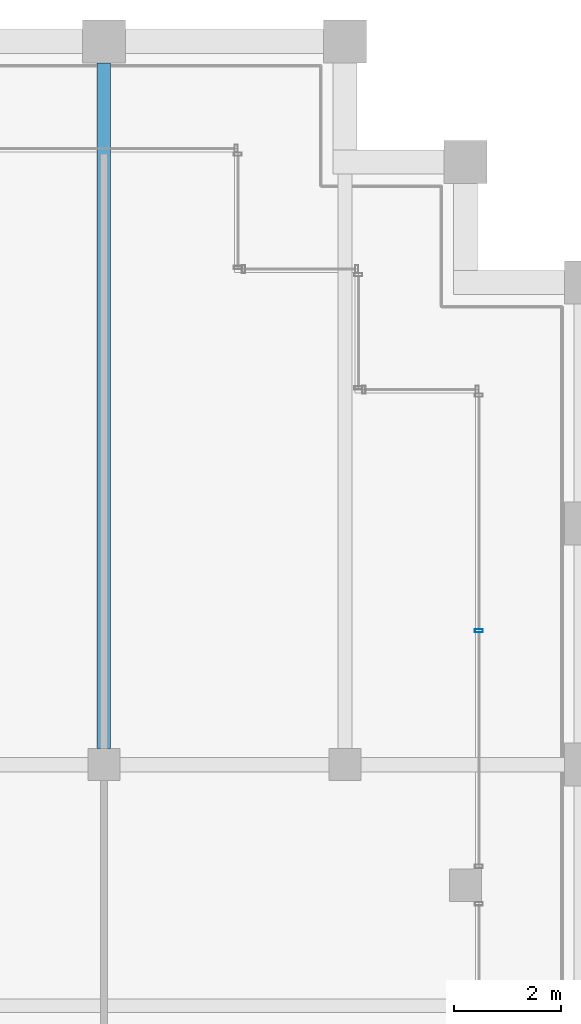
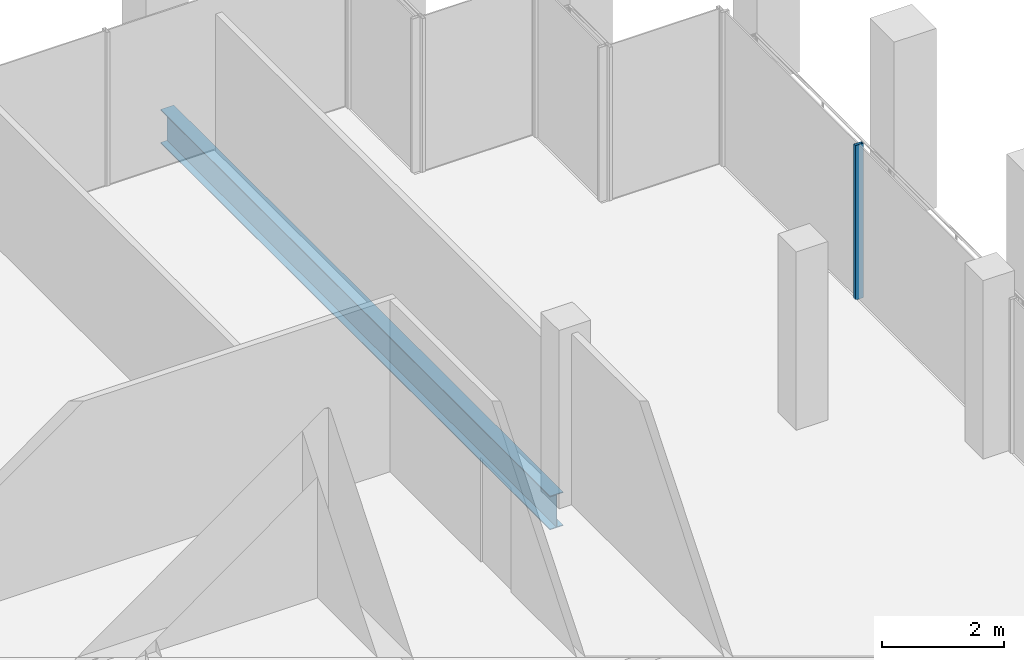
# One storey, part 24 of 30: 1 beam, 1 member, 1 element without a shape of its own.
"""IFC4 building model written with IfcOpenShell, lengths in metres."""

from ifc_helpers import new_model, si_unit, direction, frame, origin, origin_2d, place, context, subcontext, project, spatial, hollow_rectangle, i_section, extrude, material, material_profile, profile_set, type_object, element, aggregate, save


model = new_model("IFC4")

# Units and contexts
model_context = context("Model", 3, precision=1e-05, world=origin(), true_north=direction((0.0, 1.0)))
body_context = subcontext(model_context, "Body", "Model", "MODEL_VIEW")
ifc_project = project(units=[si_unit("LENGTHUNIT", "METRE"), si_unit("AREAUNIT", "SQUARE_METRE"), si_unit("VOLUMEUNIT", "CUBIC_METRE"), si_unit("PLANEANGLEUNIT", "RADIAN"), si_unit("MASSUNIT", "GRAM", prefix="KILO")], contexts=[model_context])

# Site, building, storey
site_placement = place(None, origin())
site = spatial("IfcSite", under=ifc_project, at=site_placement, CompositionType="ELEMENT")
building_placement = place(site_placement, origin())
building = spatial("IfcBuilding", under=site, at=building_placement, Name="Altepetl Exchange Towers", CompositionType="ELEMENT")
storey_placement = place(building_placement, frame((0.0, 0.0, 238.800048828125)))
storey = spatial("IfcBuildingStorey", under=building, at=storey_placement, Name="L61", CompositionType="ELEMENT", Elevation=238.800048828125)

# Beam
ifc_material_1 = material(Name="Steel S355", Category="steel")
ifc_material_profile_1 = material_profile(ifc_material_1, i_section(OverallWidth=0.2529296875, OverallDepth=0.677978515625, WebThickness=0.01171875, FlangeThickness=0.016357421875, at=origin_2d()), Name="W27X84")
ifc_profile_set_1 = profile_set([ifc_material_profile_1], Name="Steel S355")
beam_type = type_object("IfcBeamType", Name="Floor beam W27X84", PredefinedType="BEAM", material=ifc_profile_set_1)
beam_placement = place(storey_placement, frame((63.0, 58.800048828125, -0.489013671875), z_axis=(0.0, 1.0, 0.0), x_axis=(-1.0, 0.0, 0.0)))
element("IfcBeam", 1, at=beam_placement, inside=storey, type_object=beam_type, Name="bm:A:L61:004", PredefinedType="BEAM", context=body_context, shape_type="SweptSolid", body=[
    extrude(i_section(OverallWidth=0.2529296875, OverallDepth=0.677978515625, WebThickness=0.01171875, FlangeThickness=0.016357421875, at=origin_2d()), origin(), (0.0, 0.0, 1.0), 12.800048828125),
])

# Curtain wall, member
ifc_material_2 = material(Name="Aluminium 6063-T6 glazing", Category="aluminium")
curtain_wall_type = type_object("IfcCurtainWallType", Name="Loggia glazing system", PredefinedType="NOTDEFINED", material=ifc_material_2)
curtain_wall_placement = place(storey_placement, origin())
curtain_wall = element("IfcCurtainWall", 2, at=curtain_wall_placement, inside=storey, type_object=curtain_wall_type, Name="CW1 run", PredefinedType="NOTDEFINED")
ifc_material_3 = material(Name="Aluminium 6063-T6", Category="aluminium")
ifc_material_profile_2 = material_profile(ifc_material_3, hollow_rectangle(XDim=0.06005859375, YDim=0.14990234375, WallThickness=0.0029296875, at=origin_2d()), Name="Mullion 60x150 aluminium")
ifc_profile_set_2 = profile_set([ifc_material_profile_2], Name="Aluminium 6063-T6")
member_type = type_object("IfcMemberType", Name="Mullion 60x150 aluminium", PredefinedType="MULLION", material=ifc_profile_set_2)
member_placement = place(storey_placement, frame((70.0, 60.99755859375, 0.0), z_axis=(0.0, 0.0, 1.0), x_axis=(0.0, 1.0, 0.0)))
member = element("IfcMember", 3, at=member_placement, type_object=member_type, Name="MU1 mullion", PredefinedType="MULLION", context=body_context, shape_type="SweptSolid", body=[
    extrude(hollow_rectangle(XDim=0.06005859375, YDim=0.14990234375, WallThickness=0.0029296875, at=origin_2d()), origin(), (0.0, 0.0, 1.0), 3.099853515625),
])
aggregate(curtain_wall, [member])

save(model, "model.ifc")
